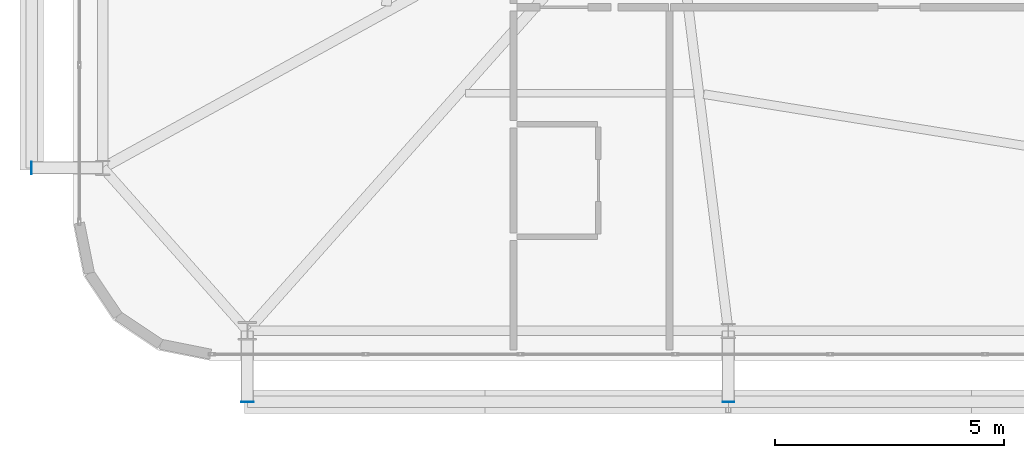
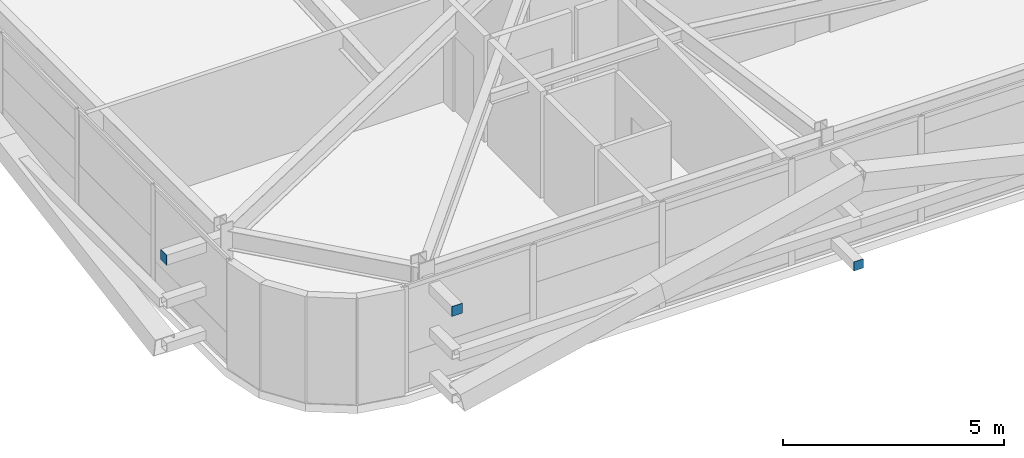
# One storey, part 44 of 59: 3 plates.
"""IFC4 building model written with IfcOpenShell, lengths in metres."""

import ifcopenshell
import ifcopenshell.guid

model = None  # the IFC model being written
_history = None  # IfcOwnerHistory: only IFC2X3 demands one
_inside = {}  # id of a spatial element -> (the spatial element, [elements in it])
_under = {}  # id of a project, library or spatial element -> (it, [spatial elements below it])
_declared = {}  # id of a project -> (the project, [libraries it declares])
_typed = {}  # id of a type object -> (the type object, [elements of that type])
_made_of = {}  # id of a material, layer set ... -> (it, [elements and type objects made of it])


def new_model(schema):
    """Start an empty IFC model of exactly this schema.

    Asked for "IFC4X3", IfcOpenShell would pick the latest addendum, in which some entities
    have other attributes; the version numbers below select the first issue.
    IFC2X3 requires an IfcOwnerHistory on every rooted entity: one is made here for all.
    """
    global model, _history
    if schema == "IFC4X3":
        model = ifcopenshell.file(schema_version=(4, 3, 0, 0))
    else:
        model = ifcopenshell.file(schema=schema)
    _inside.clear()
    _under.clear()
    _declared.clear()
    _typed.clear()
    _made_of.clear()
    _history = None
    if model.schema == "IFC2X3":
        org = make("IfcOrganization", Name="unknown")
        user = make(
            "IfcPersonAndOrganization",
            ThePerson=make("IfcPerson", FamilyName="unknown"),
            TheOrganization=org,
        )
        app = make(
            "IfcApplication",
            ApplicationDeveloper=org,
            Version="unknown",
            ApplicationFullName="unknown",
            ApplicationIdentifier="unknown",
        )
        _history = make(
            "IfcOwnerHistory",
            OwningUser=user,
            OwningApplication=app,
            ChangeAction="ADDED",
            CreationDate=0,
        )
    return model


def make(cls, **values):
    """One entity of the class cls with the attributes given. An attribute that is None is left unset."""
    return model.create_entity(
        cls, **{name: value for name, value in values.items() if value is not None}
    )


def rooted(cls, **values):
    """An entity with a GlobalId (a new one), such as an element, a storey or a relation."""
    return make(cls, GlobalId=ifcopenshell.guid.new(), OwnerHistory=_history, **values)


def si_unit(unit_type, name, prefix=None):
    """IfcSIUnit, for example si_unit("LENGTHUNIT", "METRE", prefix="MILLI")."""
    return make("IfcSIUnit", UnitType=unit_type, Prefix=prefix, Name=name)


def assignment(units):
    """IfcUnitAssignment: the units of a project."""
    return None if units is None else make("IfcUnitAssignment", Units=units)


def point(xyz):
    """IfcCartesianPoint."""
    return None if xyz is None else make("IfcCartesianPoint", Coordinates=xyz)


def direction(xyz):
    """IfcDirection."""
    return None if xyz is None else make("IfcDirection", DirectionRatios=xyz)


def frame(location, z_axis=None, x_axis=None):
    """IfcAxis2Placement3D, a coordinate frame: its origin and axes. An axis left out is left unset."""
    return make(
        "IfcAxis2Placement3D",
        Location=point(location),
        Axis=direction(z_axis),
        RefDirection=direction(x_axis),
    )


def frame_2d(location, x_axis=None):
    """IfcAxis2Placement2D, a coordinate frame in the plane: its origin and x axis."""
    return make(
        "IfcAxis2Placement2D", Location=point(location), RefDirection=direction(x_axis)
    )


def origin():
    """The frame at (0, 0, 0) with its axes left unset."""
    return frame((0.0, 0.0, 0.0))


def origin_2d():
    """The frame at (0, 0) in the plane with its x axis left unset."""
    return frame_2d((0.0, 0.0))


def place(relative_to, where):
    """IfcLocalPlacement: puts the frame where relative to a parent placement (None: the world)."""
    return make(
        "IfcLocalPlacement", PlacementRelTo=relative_to, RelativePlacement=where
    )


def context(
    kind, dimensions, precision=None, world=None, true_north=None, identifier=None
):
    """IfcGeometricRepresentationContext, for example the 3D "Model" context."""
    return make(
        "IfcGeometricRepresentationContext",
        ContextIdentifier=identifier,
        ContextType=kind,
        CoordinateSpaceDimension=dimensions,
        Precision=precision,
        WorldCoordinateSystem=world,
        TrueNorth=true_north,
    )


def subcontext(parent, identifier, kind, view, scale=None):
    """IfcGeometricRepresentationSubContext, for example "Body" below "Model"."""
    return make(
        "IfcGeometricRepresentationSubContext",
        ContextIdentifier=identifier,
        ContextType=kind,
        ParentContext=parent,
        TargetScale=scale,
        TargetView=view,
    )


def project(units=None, contexts=None):
    """IfcProject with its units and contexts."""
    return rooted(
        "IfcProject",
        Name="project",
        RepresentationContexts=contexts,
        UnitsInContext=assignment(units),
    )


def spatial(cls, under=None, at=None, **own):
    """A site, building, storey or space (cls), placed at a placement, below another one or the project."""
    s = rooted(cls, ObjectPlacement=at, **own)
    if under is not None:
        _under.setdefault(under.id(), (under, []))[1].append(s)
    return s


def profile(cls, at=None, kind="AREA", **sizes):
    """A parametric profile (cls). Its sizes go by their IFC names, for example OverallWidth=200.0."""
    return make(cls, ProfileType=kind, Position=at, **sizes)


def rectangle(**sizes):
    """IfcRectangleProfileDef."""
    return profile("IfcRectangleProfileDef", **sizes)


def extrude(swept, where, along, depth):
    """IfcExtrudedAreaSolid: the profile swept, set in the frame where, extruded along a direction by depth."""
    return make(
        "IfcExtrudedAreaSolid",
        SweptArea=swept,
        Position=where,
        ExtrudedDirection=direction(along),
        Depth=depth,
    )


def shape(context_of_items, identifier, shape_type, items):
    """IfcShapeRepresentation: the items that make up one representation, for example the "Body"."""
    return make(
        "IfcShapeRepresentation",
        ContextOfItems=context_of_items,
        RepresentationIdentifier=identifier,
        RepresentationType=shape_type,
        Items=items,
    )


def source(mapping_origin, context_of_items, identifier, shape_type, items):
    """IfcRepresentationMap: a shape defined once, which mapped items show again and again."""
    return make(
        "IfcRepresentationMap",
        MappingOrigin=mapping_origin,
        MappedRepresentation=shape(context_of_items, identifier, shape_type, items),
    )


def transform(
    local_origin,
    x_axis=None,
    y_axis=None,
    z_axis=None,
    scale=None,
    scale2=None,
    scale3=None,
    uniform=True,
):
    """IfcCartesianTransformationOperator3D, or its non-uniform kind. x_axis, y_axis, z_axis: its Axis1, 2, 3."""
    if uniform:
        return make(
            "IfcCartesianTransformationOperator3D",
            Axis1=direction(x_axis),
            Axis2=direction(y_axis),
            LocalOrigin=point(local_origin),
            Scale=scale,
            Axis3=direction(z_axis),
        )
    return make(
        "IfcCartesianTransformationOperator3DnonUniform",
        Axis1=direction(x_axis),
        Axis2=direction(y_axis),
        LocalOrigin=point(local_origin),
        Scale=scale,
        Axis3=direction(z_axis),
        Scale2=scale2,
        Scale3=scale3,
    )


def mapped(mapping_source, mapping_target):
    """IfcMappedItem: shows the shape of a source again, moved by a transform."""
    return make(
        "IfcMappedItem", MappingSource=mapping_source, MappingTarget=mapping_target
    )


def material(Name=None, Category=None):
    """IfcMaterial."""
    return make("IfcMaterial", Name=Name, Category=Category)


def layer(
    of_material, thickness, ventilated=None, Name=None, Category=None, Priority=None
):
    """IfcMaterialLayer: one layer of a wall or slab, of a material (None: an air gap)."""
    return make(
        "IfcMaterialLayer",
        Material=of_material,
        LayerThickness=thickness,
        IsVentilated=ventilated,
        Name=Name,
        Category=Category,
        Priority=Priority,
    )


def layer_set(layers, Name=None):
    """IfcMaterialLayerSet."""
    return make("IfcMaterialLayerSet", MaterialLayers=layers, LayerSetName=Name)


def made_of(thing, what):
    """Note that an element or type object is made of a material, layer set ...; save() writes the relation."""
    if what is not None:
        _made_of.setdefault(what.id(), (what, []))[1].append(thing)
    return thing


def type_object(cls, material=None, **own):
    """A type object (cls), such as IfcWallType, which elements share."""
    return made_of(rooted(cls, **own), material)


def element(
    cls,
    number,
    at=None,
    inside=None,
    cuts=None,
    type_object=None,
    material=None,
    context=None,
    identifier="Body",
    shape_type=None,
    held_by="IfcProductDefinitionShape",
    body=None,
    shapes=None,
    **own,
):
    """One element of the class cls, such as IfcWall. Its Tag is "e" and its number.

    at: its placement. inside: the storey or other place that contains it. cuts: it is an
    opening in that element (IfcRelVoidsElement). A single representation is given by context,
    identifier, shape_type and body (its items); several are given by shapes. held_by: the class
    of the entity that holds the representations. save() writes the other relations.
    """
    e = rooted(cls, Tag="e%d" % number, ObjectPlacement=at, **own)
    if body is not None:
        shapes = [shape(context, identifier, shape_type, body)]
    if shapes is not None:
        e.Representation = make(held_by, Representations=shapes)
    if inside is not None:
        _inside.setdefault(inside.id(), (inside, []))[1].append(e)
    if cuts is not None:
        rooted(
            "IfcRelVoidsElement", RelatingBuildingElement=cuts, RelatedOpeningElement=e
        )
    if type_object is not None:
        _typed.setdefault(type_object.id(), (type_object, []))[1].append(e)
    return made_of(e, material)


def aggregate(whole, parts):
    """IfcRelAggregates: a whole, such as a stair, and the parts it consists of."""
    return rooted("IfcRelAggregates", RelatingObject=whole, RelatedObjects=parts)


def save(model, path):
    """Write the relations noted so far, then the file.

    IfcRelAggregates (storeys below a building ...), IfcRelContainedInSpatialStructure (elements
    in a storey), IfcRelDefinesByType, IfcRelAssociatesMaterial and IfcRelDeclares: one each for
    every whole, place, type object, material and project.
    """
    for whole, parts in _under.values():
        aggregate(whole, parts)
    for where, things in _inside.values():
        rooted(
            "IfcRelContainedInSpatialStructure",
            RelatedElements=things,
            RelatingStructure=where,
        )
    for kind, things in _typed.values():
        rooted("IfcRelDefinesByType", RelatedObjects=things, RelatingType=kind)
    for what, things in _made_of.values():
        rooted("IfcRelAssociatesMaterial", RelatedObjects=things, RelatingMaterial=what)
    for by, libraries in _declared.values():
        rooted("IfcRelDeclares", RelatingContext=by, RelatedDefinitions=libraries)
    model.write(path)


model = new_model("IFC4")

# Units and contexts
model_context = context("Model", 3, precision=1e-05, world=origin(), true_north=direction((0.0, 1.0)))
body_context = subcontext(model_context, "Body", "Model", "MODEL_VIEW")
ifc_project = project(units=[si_unit("LENGTHUNIT", "METRE"), si_unit("AREAUNIT", "SQUARE_METRE"), si_unit("VOLUMEUNIT", "CUBIC_METRE"), si_unit("PLANEANGLEUNIT", "RADIAN"), si_unit("MASSUNIT", "GRAM", prefix="KILO")], contexts=[model_context])

# Site, building, storey
site_placement = place(None, origin())
site = spatial("IfcSite", under=ifc_project, at=site_placement, CompositionType="ELEMENT")
building_placement = place(site_placement, origin())
building = spatial("IfcBuilding", under=site, at=building_placement, Name="Taldren Reach Tower", CompositionType="ELEMENT")
storey_placement = place(building_placement, frame((0.0, 0.0, 29.39990234375)))
storey = spatial("IfcBuildingStorey", under=building, at=storey_placement, Name="L08", CompositionType="ELEMENT", Elevation=29.39990234375)

# Plates
ifc_material_1 = material(Name="Steel Gr 450 (C450L0)", Category="steel")
ifc_layer_1 = layer(ifc_material_1, 0.011962890625)
ifc_layer_set_1 = layer_set([ifc_layer_1], Name="Steel Gr 450 (C450L0)")
plate_type_1 = type_object("IfcPlateType", Name="PL-CAP-275", PredefinedType="SHEET", material=ifc_layer_set_1)
shared_shape_1 = source(origin(), body_context, "Body", "SweptSolid", [
    extrude(rectangle(XDim=0.27490234375, YDim=0.011962890625, at=origin_2d()), origin(), (0.0, 0.0, 1.0), 0.27490234375),
])
plate_1_placement = place(storey_placement, frame((8.800048828125, 0.593994140625, 2.5126953125), z_axis=(0.0, 0.0, 1.0), x_axis=(1.0, 0.0, 0.0)))
element("IfcPlate", 1, at=plate_1_placement, inside=storey, type_object=plate_type_1, Name="Tie strut end cap plate B1-S1 L08", PredefinedType="SHEET", context=body_context, shape_type="MappedRepresentation", body=[
    mapped(shared_shape_1, transform((0.0, 0.0, 0.0), scale=1.0)),
])
shared_shape_2 = source(origin(), body_context, "Body", "SweptSolid", [
    extrude(rectangle(XDim=0.011962890625, YDim=0.27490234375, at=origin_2d()), origin(), (0.0, 0.0, 1.0), 0.27490234375),
])
plate_2_placement = place(storey_placement, frame((4.093994140625, 5.699951171875, 2.5126953125), z_axis=(0.0, 0.0, 1.0), x_axis=(1.0, 0.0, 0.0)))
element("IfcPlate", 2, at=plate_2_placement, inside=storey, type_object=plate_type_1, Name="Tie strut end cap plate B1-W1 L08", PredefinedType="SHEET", context=body_context, shape_type="MappedRepresentation", body=[
    mapped(shared_shape_2, transform((0.0, 0.0, 0.0), scale=1.0)),
])
ifc_material_2 = material(Name="Steel Gr 350 (C350L0)", Category="steel")
ifc_layer_2 = layer(ifc_material_2, 0.011962890625)
ifc_layer_set_2 = layer_set([ifc_layer_2], Name="Steel Gr 350 (C350L0)")
plate_type_2 = type_object("IfcPlateType", Name="PL-CAP-250", PredefinedType="SHEET", material=ifc_layer_set_2)
shared_shape_3 = source(origin(), body_context, "Body", "SweptSolid", [
    extrude(rectangle(XDim=0.25, YDim=0.011962890625, at=origin_2d()), origin(), (0.0, 0.0, 1.0), 0.25),
])
plate_3_placement = place(storey_placement, frame((19.280029296875, 0.593994140625, 0.09521484375), z_axis=(0.0, 0.0, 1.0), x_axis=(1.0, 0.0, 0.0)))
element("IfcPlate", 3, at=plate_3_placement, inside=storey, type_object=plate_type_2, Name="Tie strut end cap plate B1-S2 L08", PredefinedType="SHEET", context=body_context, shape_type="MappedRepresentation", body=[
    mapped(shared_shape_3, transform((0.0, 0.0, 0.0), scale=1.0)),
])

save(model, "model.ifc")
